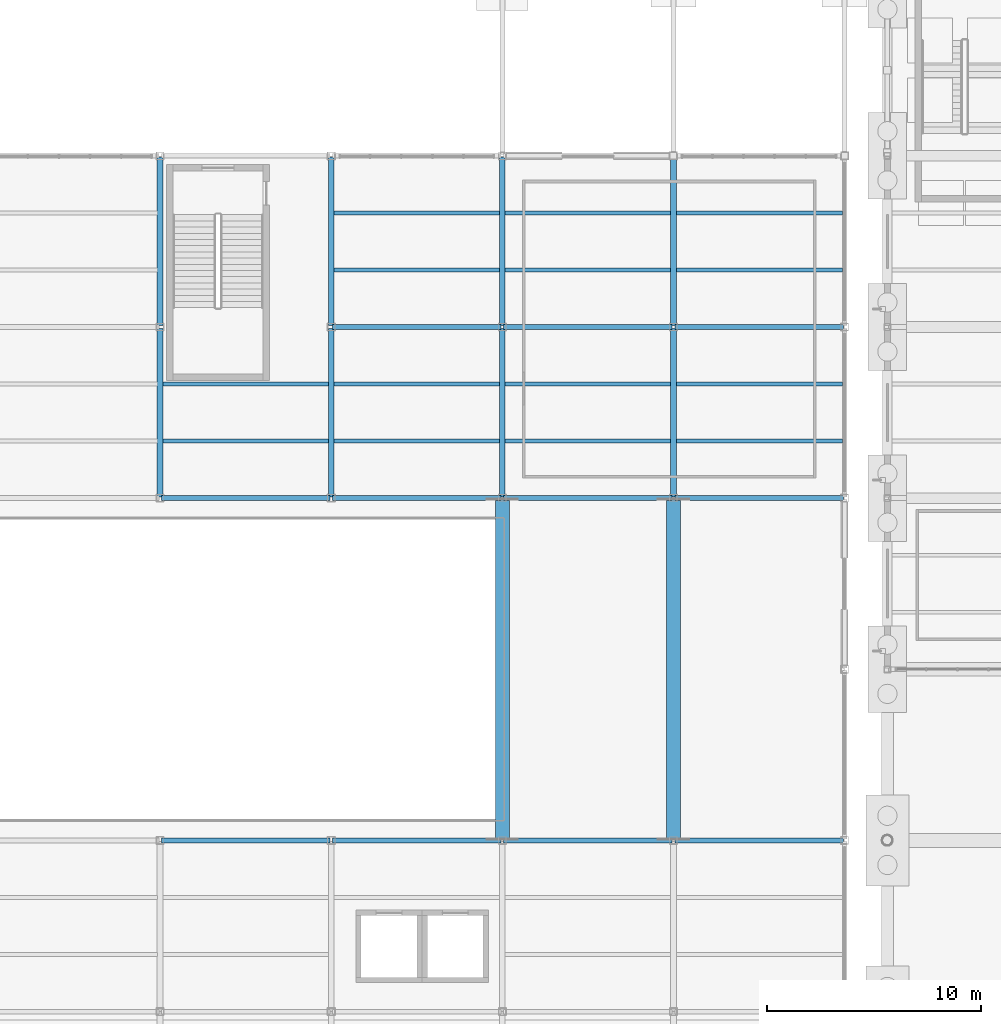
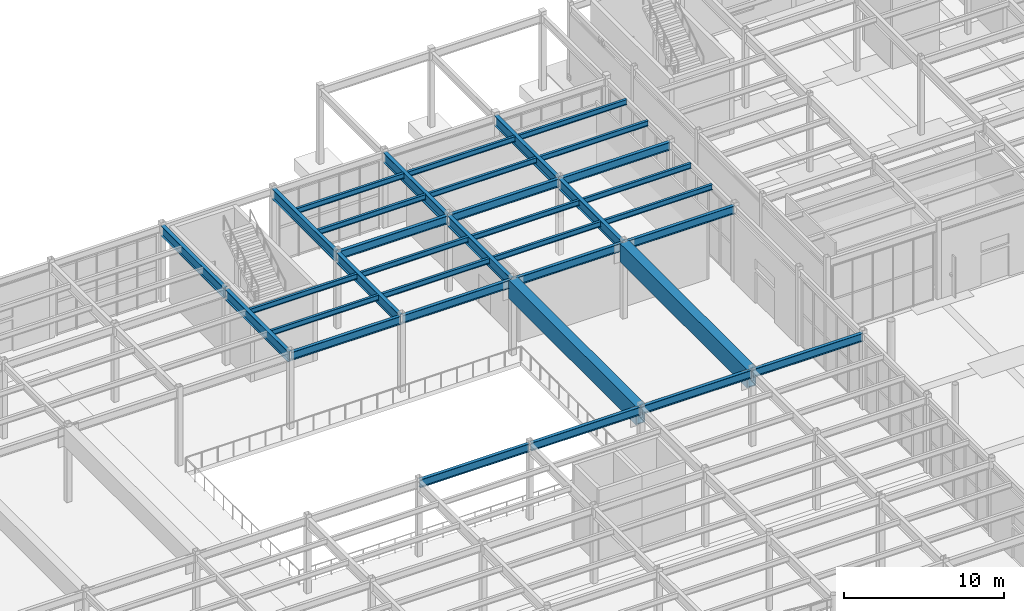
# One storey, part 42 of 82: 35 beams.
"""IFC4 building model written with IfcOpenShell, lengths in metres."""

from ifc_helpers import new_model, si_unit, direction, frame, origin, origin_2d, place, context, subcontext, project, spatial, hollow_rectangle, i_section, extrude, material, material_profile, profile_set, type_object, element, save


model = new_model("IFC4")

# Units and contexts
model_context = context("Model", 3, precision=1e-05, world=origin(), true_north=direction((0.0, 1.0)))
body_context = subcontext(model_context, "Body", "Model", "MODEL_VIEW")
ifc_project = project(units=[si_unit("LENGTHUNIT", "METRE"), si_unit("AREAUNIT", "SQUARE_METRE"), si_unit("VOLUMEUNIT", "CUBIC_METRE"), si_unit("PLANEANGLEUNIT", "RADIAN"), si_unit("MASSUNIT", "GRAM", prefix="KILO")], contexts=[model_context])

# Site, building, storey
site_placement = place(None, origin())
site = spatial("IfcSite", under=ifc_project, at=site_placement, CompositionType="ELEMENT")
building_placement = place(site_placement, origin())
building = spatial("IfcBuilding", under=site, at=building_placement, Name="Drelvath Fold Interchange", CompositionType="ELEMENT")
storey_placement = place(building_placement, origin())
storey = spatial("IfcBuildingStorey", under=building, at=storey_placement, Name="L00", CompositionType="ELEMENT", Elevation=0.0)

# Beams
ifc_material_1 = material(Name="Steel ASTM A992 Grade 50", Category="steel")
ifc_material_profile_1 = material_profile(ifc_material_1, i_section(OverallWidth=0.177978515625, OverallDepth=0.403076171875, WebThickness=0.007568359375, FlangeThickness=0.010986328125, at=origin_2d()), Name="W16X36")
ifc_profile_set_1 = profile_set([ifc_material_profile_1], Name="Steel ASTM A992 Grade 50")
beam_type_1 = type_object("IfcBeamType", Name="BM-W16X36", PredefinedType="JOIST", material=ifc_profile_set_1)
for number, where, z_axis, x_axis, name in (
    (1, (68.131103515625, 85.6669921875, 5.55810546875), (1.0, 0.0, 0.0), (0.0, 1.0, 0.0), "L00 Secondary floor joist BM-W16X36"),
    (2, (68.131103515625, 88.3330078125, 5.55810546875), (1.0, 0.0, 0.0), (0.0, 1.0, 0.0), "L00 Secondary floor joist BM-W16X36"),
    (3, (76.131103515625, 85.6669921875, 5.55810546875), (1.0, 0.0, 0.0), (0.0, 1.0, 0.0), "L00 Secondary floor joist BM-W16X36"),
    (4, (76.131103515625, 88.3330078125, 5.55810546875), (1.0, 0.0, 0.0), (0.0, 1.0, 0.0), "L00 Secondary floor joist BM-W16X36"),
    (5, (76.131103515625, 93.6669921875, 5.55810546875), (1.0, 0.0, 0.0), (0.0, 1.0, 0.0), "L00 Secondary floor joist BM-W16X36"),
    (6, (76.131103515625, 96.3330078125, 5.55810546875), (1.0, 0.0, 0.0), (0.0, 1.0, 0.0), "L00 Secondary floor joist BM-W16X36"),
    (7, (84.131103515625, 85.6669921875, 5.55810546875), (1.0, 0.0, 0.0), (0.0, 1.0, 0.0), "L00 Secondary floor joist BM-W16X36"),
    (8, (84.131103515625, 88.3330078125, 5.55810546875), (1.0, 0.0, 0.0), (0.0, 1.0, 0.0), "L00 Secondary floor joist BM-W16X36"),
    (9, (84.131103515625, 93.6669921875, 5.55810546875), (1.0, 0.0, 0.0), (0.0, 1.0, 0.0), "L00 Secondary floor joist BM-W16X36"),
    (10, (84.131103515625, 96.3330078125, 5.55810546875), (1.0, 0.0, 0.0), (0.0, 1.0, 0.0), "L00 Secondary floor joist BM-W16X36"),
):
    element("IfcBeam", number, at=place(storey_placement, frame(where, z_axis=z_axis, x_axis=x_axis)), inside=storey, type_object=beam_type_1, Name=name, PredefinedType="JOIST", context=body_context, shape_type="SweptSolid", body=[
        extrude(i_section(OverallWidth=0.177978515625, OverallDepth=0.403076171875, WebThickness=0.007568359375, FlangeThickness=0.010986328125, at=origin_2d()), origin(), (0.0, 0.0, 1.0), 7.73779296875),
    ])
for number, where, z_axis, x_axis, name in (
    (11, (92.131103515625, 85.6669921875, 5.55810546875), (1.0, 0.0, 0.0), (0.0, 1.0, 0.0), "L00 Secondary floor joist BM-W16X36"),
    (12, (92.131103515625, 88.3330078125, 5.55810546875), (1.0, 0.0, 0.0), (0.0, 1.0, 0.0), "L00 Secondary floor joist BM-W16X36"),
    (13, (92.131103515625, 93.6669921875, 5.55810546875), (1.0, 0.0, 0.0), (0.0, 1.0, 0.0), "L00 Secondary floor joist BM-W16X36"),
    (14, (92.131103515625, 96.3330078125, 5.55810546875), (1.0, 0.0, 0.0), (0.0, 1.0, 0.0), "L00 Secondary floor joist BM-W16X36"),
):
    element("IfcBeam", number, at=place(storey_placement, frame(where, z_axis=z_axis, x_axis=x_axis)), inside=storey, type_object=beam_type_1, Name=name, PredefinedType="JOIST", context=body_context, shape_type="SweptSolid", body=[
        extrude(i_section(OverallWidth=0.177978515625, OverallDepth=0.403076171875, WebThickness=0.007568359375, FlangeThickness=0.010986328125, at=origin_2d()), origin(), (0.0, 0.0, 1.0), 7.765869140625),
    ])
ifc_material_profile_2 = material_profile(ifc_material_1, i_section(OverallWidth=0.22998046875, OverallDepth=0.616943359375, WebThickness=0.01318359375, FlangeThickness=0.022216796875, at=origin_2d()), Name="W24X94")
ifc_profile_set_2 = profile_set([ifc_material_profile_2], Name="Steel ASTM A992 Grade 50")
beam_type_2 = type_object("IfcBeamType", Name="BM-W24X94", PredefinedType="BEAM", material=ifc_profile_set_2)
for number, where, z_axis, x_axis, name in (
    (15, (68.06005859375, 67.0, 5.450927734375), (1.0, 0.0, 0.0), (0.0, 1.0, 0.0), "L00 Primary X girder BM-W24X94"),
    (16, (76.06005859375, 67.0, 5.450927734375), (1.0, 0.0, 0.0), (0.0, 1.0, 0.0), "L00 Primary X girder BM-W24X94"),
    (17, (84.06005859375, 67.0, 5.450927734375), (1.0, 0.0, 0.0), (0.0, 1.0, 0.0), "L00 Primary X girder BM-W24X94"),
    (18, (92.06005859375, 67.0, 5.450927734375), (1.0, 0.0, 0.0), (0.0, 1.0, 0.0), "L00 Primary X girder BM-W24X94"),
    (19, (68.06005859375, 83.0, 5.450927734375), (1.0, 0.0, 0.0), (0.0, 1.0, 0.0), "L00 Primary X girder BM-W24X94"),
    (20, (76.06005859375, 83.0, 5.450927734375), (1.0, 0.0, 0.0), (0.0, 1.0, 0.0), "L00 Primary X girder BM-W24X94"),
    (21, (84.06005859375, 83.0, 5.450927734375), (1.0, 0.0, 0.0), (0.0, 1.0, 0.0), "L00 Primary X girder BM-W24X94"),
    (22, (92.06005859375, 83.0, 5.450927734375), (1.0, 0.0, 0.0), (0.0, 1.0, 0.0), "L00 Primary X girder BM-W24X94"),
    (23, (76.06005859375, 91.0, 5.450927734375), (1.0, 0.0, 0.0), (0.0, 1.0, 0.0), "L00 Primary X girder BM-W24X94"),
    (24, (84.06005859375, 91.0, 5.450927734375), (1.0, 0.0, 0.0), (0.0, 1.0, 0.0), "L00 Primary X girder BM-W24X94"),
    (25, (92.06005859375, 91.0, 5.450927734375), (1.0, 0.0, 0.0), (0.0, 1.0, 0.0), "L00 Primary X girder BM-W24X94"),
):
    element("IfcBeam", number, at=place(storey_placement, frame(where, z_axis=z_axis, x_axis=x_axis)), inside=storey, type_object=beam_type_2, Name=name, PredefinedType="BEAM", context=body_context, shape_type="SweptSolid", body=[
        extrude(i_section(OverallWidth=0.22998046875, OverallDepth=0.616943359375, WebThickness=0.01318359375, FlangeThickness=0.022216796875, at=origin_2d()), origin(), (0.0, 0.0, 1.0), 7.8798828125),
    ])
ifc_material_profile_3 = material_profile(ifc_material_1, i_section(OverallWidth=0.26611328125, OverallDepth=0.779052734375, WebThickness=0.0166015625, FlangeThickness=0.030029296875, at=origin_2d()), Name="W30X148")
ifc_profile_set_3 = profile_set([ifc_material_profile_3], Name="Steel ASTM A992 Grade 50")
beam_type_3 = type_object("IfcBeamType", Name="BM-W30X148", PredefinedType="BEAM", material=ifc_profile_set_3)
for number, where, z_axis, x_axis, name in (
    (26, (68.0, 83.06005859375, 5.3701171875), (0.0, 1.0, 0.0), (-1.0, 0.0, 0.0), "L00 Primary Y girder BM-W30X148"),
    (27, (68.0, 91.06005859375, 5.3701171875), (0.0, 1.0, 0.0), (-1.0, 0.0, 0.0), "L00 Primary Y girder BM-W30X148"),
    (28, (76.0, 83.06005859375, 5.3701171875), (0.0, 1.0, 0.0), (-1.0, 0.0, 0.0), "L00 Primary Y girder BM-W30X148"),
    (29, (76.0, 91.06005859375, 5.3701171875), (0.0, 1.0, 0.0), (-1.0, 0.0, 0.0), "L00 Primary Y girder BM-W30X148"),
    (30, (84.0, 83.06005859375, 5.3701171875), (0.0, 1.0, 0.0), (-1.0, 0.0, 0.0), "L00 Primary Y girder BM-W30X148"),
    (31, (84.0, 91.06005859375, 5.341064453125), (0.0, 1.0, 0.0), (-1.0, 0.0, 0.0), "L00 Primary Y girder BM-W30X148"),
    (32, (92.0, 83.06005859375, 5.3701171875), (0.0, 1.0, 0.0), (-1.0, 0.0, 0.0), "L00 Primary Y girder BM-W30X148"),
    (33, (92.0, 91.06005859375, 5.341064453125), (0.0, 1.0, 0.0), (-1.0, 0.0, 0.0), "L00 Primary Y girder BM-W30X148"),
):
    element("IfcBeam", number, at=place(storey_placement, frame(where, z_axis=z_axis, x_axis=x_axis)), inside=storey, type_object=beam_type_3, Name=name, PredefinedType="BEAM", context=body_context, shape_type="SweptSolid", body=[
        extrude(i_section(OverallWidth=0.26611328125, OverallDepth=0.779052734375, WebThickness=0.0166015625, FlangeThickness=0.030029296875, at=origin_2d()), origin(), (0.0, 0.0, 1.0), 7.8798828125),
    ])
ifc_material_2 = material(Name="Steel ASTM A572 Grade 50", Category="steel")
ifc_material_profile_4 = material_profile(ifc_material_2, hollow_rectangle(XDim=0.64990234375, YDim=1.39990234375, WallThickness=0.06494140625, at=origin_2d()), Name="BOX 1400x650x65")
ifc_profile_set_4 = profile_set([ifc_material_profile_4], Name="Steel ASTM A572 Grade 50")
beam_type_4 = type_object("IfcBeamType", Name="TG-BOX1400", PredefinedType="USERDEFINED", material=ifc_profile_set_4)
for number, where, z_axis, x_axis, name in (
    (34, (84.0, 67.06005859375, 5.06005859375), (0.0, 1.0, 0.0), (-1.0, 0.0, 0.0), "L00 Primary Y girder TG-BOX1400"),
    (35, (92.0, 67.06005859375, 5.06005859375), (0.0, 1.0, 0.0), (-1.0, 0.0, 0.0), "L00 Primary Y girder TG-BOX1400"),
):
    element("IfcBeam", number, at=place(storey_placement, frame(where, z_axis=z_axis, x_axis=x_axis)), inside=storey, type_object=beam_type_4, Name=name, ObjectType="GIRDER", PredefinedType="USERDEFINED", context=body_context, shape_type="SweptSolid", body=[
        extrude(hollow_rectangle(XDim=0.64990234375, YDim=1.39990234375, WallThickness=0.06494140625, at=origin_2d()), origin(), (0.0, 0.0, 1.0), 15.8798828125),
    ])

save(model, "model.ifc")
